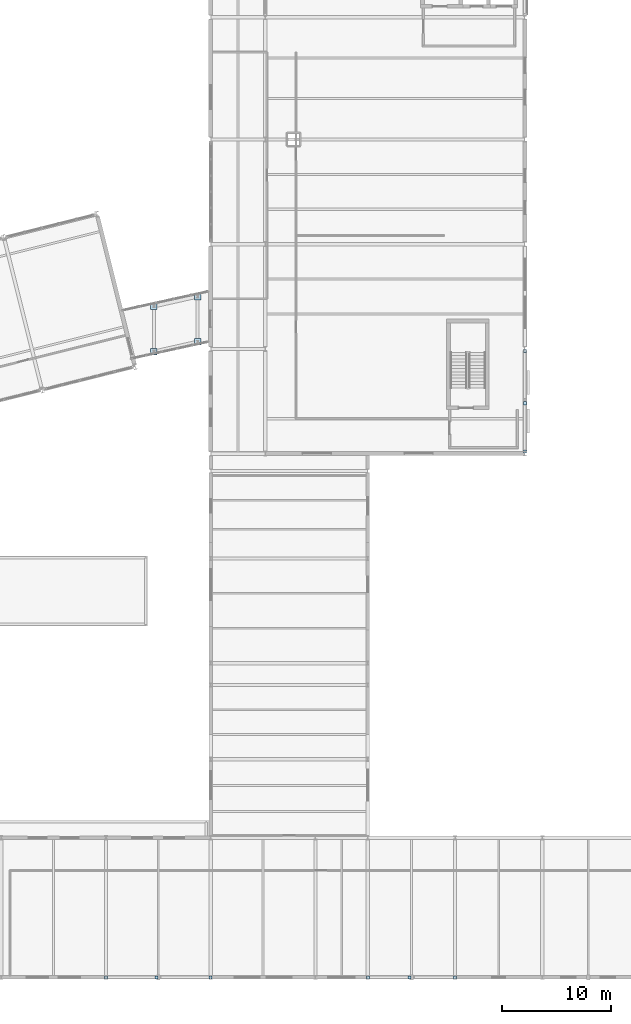
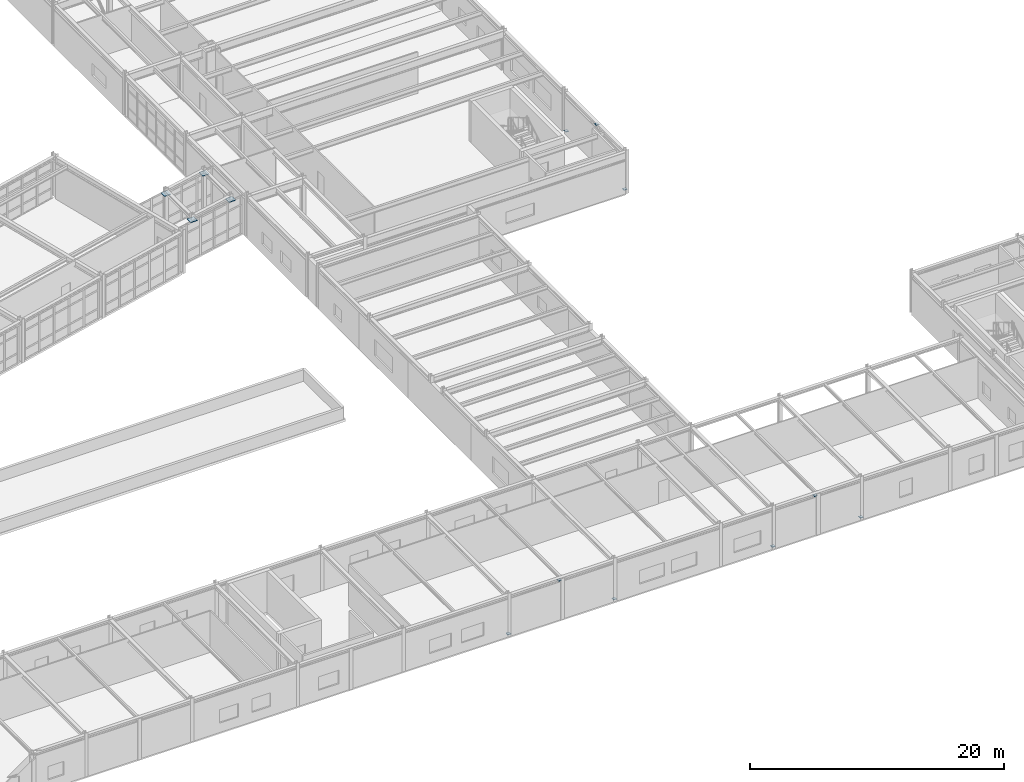
# One storey, part 74 of 99: 13 plates.
"""IFC4 building model written with IfcOpenShell, lengths in metres."""

from ifc_helpers import new_model, si_unit, direction, frame, origin, origin_2d, place, context, subcontext, project, spatial, rectangle, extrude, material, layer, layer_set, type_object, element, save


model = new_model("IFC4")

# Units and contexts
model_context = context("Model", 3, precision=1e-05, world=origin(), true_north=direction((0.0, 1.0)))
body_context = subcontext(model_context, "Body", "Model", "MODEL_VIEW")
ifc_project = project(units=[si_unit("LENGTHUNIT", "METRE"), si_unit("AREAUNIT", "SQUARE_METRE"), si_unit("VOLUMEUNIT", "CUBIC_METRE"), si_unit("PLANEANGLEUNIT", "RADIAN"), si_unit("MASSUNIT", "GRAM", prefix="KILO")], contexts=[model_context])

# Site, building, storey
site_placement = place(None, origin())
site = spatial("IfcSite", under=ifc_project, at=site_placement, CompositionType="ELEMENT")
building_placement = place(site_placement, origin())
building = spatial("IfcBuilding", under=site, at=building_placement, Name="Nordkorset Police Headquarters", CompositionType="ELEMENT")
storey_placement = place(building_placement, frame((0.0, 0.0, 5.25)))
storey = spatial("IfcBuildingStorey", under=building, at=storey_placement, Name="L01", CompositionType="ELEMENT", Elevation=5.25)

# Plates
ifc_material_1 = material(Name="Steel S355J2", Category="steel")
ifc_layer_1 = layer(ifc_material_1, 0.02001953125, Name="Steel S355J2")
ifc_layer_set_1 = layer_set([ifc_layer_1], Name="Steel S355J2")
plate_type_1 = type_object("IfcPlateType", Name="SteelPlate_20mm", PredefinedType="SHEET", material=ifc_layer_set_1)
for number, where, z_axis, x_axis, name in (
    (1, (115.199951171875, 48.199951171875, 0.18994140625), (0.0, 0.0, 1.0), (1.0, 0.0, 0.0), "Hollow Section End Cap Plate BF-EXT-V5E0-L01-D1-0"),
    (2, (115.199951171875, 52.6201171875, 3.72998046875), (0.0, 0.0, 1.0), (1.0, 0.0, 0.0), "Hollow Section End Cap Plate BF-EXT-V5E0-L01-D1-1"),
    (3, (115.199951171875, 57.39990234375, 0.18994140625), (0.0, 0.0, 1.0), (1.0, 0.0, 0.0), "Hollow Section End Cap Plate BF-EXT-V5E0-L01-D2-0"),
    (4, (76.805908203125, 0.0, 0.18994140625), (0.0, 0.0, 1.0), (1.0, 0.0, 0.0), "Hollow Section End Cap Plate BF-EXT-V7S8-L01-D1-0"),
    (5, (81.419921875, 0.0, 3.72998046875), (0.0, 0.0, 1.0), (1.0, 0.0, 0.0), "Hollow Section End Cap Plate BF-EXT-V7S8-L01-D1-1"),
    (6, (86.39404296875, 0.0, 0.18994140625), (0.0, 0.0, 1.0), (1.0, 0.0, 0.0), "Hollow Section End Cap Plate BF-EXT-V7S8-L01-D2-0"),
    (7, (100.805908203125, 0.0, 0.18994140625), (0.0, 0.0, 1.0), (1.0, 0.0, 0.0), "Hollow Section End Cap Plate BF-EXT-V7S11-L01-D1-0"),
    (8, (104.6201171875, 0.0, 3.72998046875), (0.0, 0.0, 1.0), (1.0, 0.0, 0.0), "Hollow Section End Cap Plate BF-EXT-V7S11-L01-D1-1"),
    (9, (108.7939453125, 0.0, 0.18994140625), (0.0, 0.0, 1.0), (1.0, 0.0, 0.0), "Hollow Section End Cap Plate BF-EXT-V7S11-L01-D2-0"),
):
    element("IfcPlate", number, at=place(storey_placement, frame(where, z_axis=z_axis, x_axis=x_axis)), inside=storey, type_object=plate_type_1, Name=name, PredefinedType="SHEET", context=body_context, shape_type="SweptSolid", body=[
        extrude(rectangle(XDim=0.2900390625, YDim=0.2900390625, at=origin_2d()), origin(), (0.0, 0.0, 1.0), 0.02001953125),
    ])
ifc_material_2 = material(Name="Steel S355J2", Category="steel")
ifc_layer_2 = layer(ifc_material_2, 0.0400390625, Name="Steel S355J2")
ifc_layer_set_2 = layer_set([ifc_layer_2], Name="Steel S355J2")
plate_type_2 = type_object("IfcPlateType", Name="SteelPlate_40mm", PredefinedType="SHEET", material=ifc_layer_set_2)
for number, where, z_axis, x_axis, name in (
    (10, (81.199951171875, 57.35009765625, 3.571044921875), (0.0, 0.0, 1.0), (1.0, 0.0, 0.0), "Bridge Bearing Seat Plate 600mm BRG-E L01 1"),
    (11, (85.199951171875, 58.25, 3.571044921875), (0.0, 0.0, 1.0), (1.0, 0.0, 0.0), "Bridge Bearing Seat Plate 600mm BRG-E L01 2"),
    (12, (81.199951171875, 61.5, 3.571044921875), (0.0, 0.0, 1.0), (1.0, 0.0, 0.0), "Bridge Bearing Seat Plate 600mm BRG-E L01 3"),
    (13, (85.199951171875, 62.39990234375, 3.571044921875), (0.0, 0.0, 1.0), (1.0, 0.0, 0.0), "Bridge Bearing Seat Plate 600mm BRG-E L01 4"),
):
    element("IfcPlate", number, at=place(storey_placement, frame(where, z_axis=z_axis, x_axis=x_axis)), inside=storey, type_object=plate_type_2, Name=name, PredefinedType="SHEET", context=body_context, shape_type="SweptSolid", body=[
        extrude(rectangle(XDim=0.60009765625, YDim=0.60009765625, at=origin_2d()), origin(), (0.0, 0.0, 1.0), 0.0400390625),
    ])

save(model, "model.ifc")
